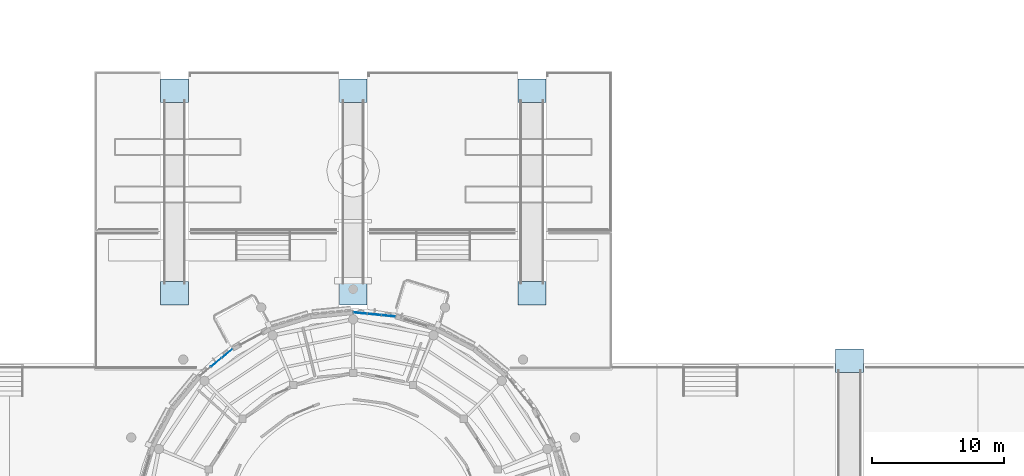
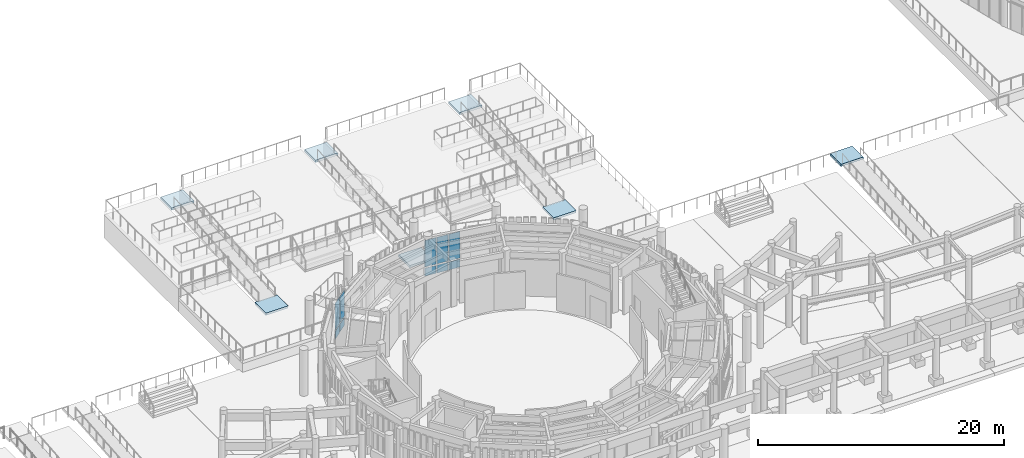
# One storey, part 37 of 94: 10 plates, 7 slabs, 2 elements without a shape of their own.
"""IFC4 building model written with IfcOpenShell, lengths in metres."""

import ifcopenshell
import ifcopenshell.guid

model = None  # the IFC model being written
_history = None  # IfcOwnerHistory: only IFC2X3 demands one
_inside = {}  # id of a spatial element -> (the spatial element, [elements in it])
_under = {}  # id of a project, library or spatial element -> (it, [spatial elements below it])
_declared = {}  # id of a project -> (the project, [libraries it declares])
_typed = {}  # id of a type object -> (the type object, [elements of that type])
_made_of = {}  # id of a material, layer set ... -> (it, [elements and type objects made of it])


def new_model(schema):
    """Start an empty IFC model of exactly this schema.

    Asked for "IFC4X3", IfcOpenShell would pick the latest addendum, in which some entities
    have other attributes; the version numbers below select the first issue.
    IFC2X3 requires an IfcOwnerHistory on every rooted entity: one is made here for all.
    """
    global model, _history
    if schema == "IFC4X3":
        model = ifcopenshell.file(schema_version=(4, 3, 0, 0))
    else:
        model = ifcopenshell.file(schema=schema)
    _inside.clear()
    _under.clear()
    _declared.clear()
    _typed.clear()
    _made_of.clear()
    _history = None
    if model.schema == "IFC2X3":
        org = make("IfcOrganization", Name="unknown")
        user = make(
            "IfcPersonAndOrganization",
            ThePerson=make("IfcPerson", FamilyName="unknown"),
            TheOrganization=org,
        )
        app = make(
            "IfcApplication",
            ApplicationDeveloper=org,
            Version="unknown",
            ApplicationFullName="unknown",
            ApplicationIdentifier="unknown",
        )
        _history = make(
            "IfcOwnerHistory",
            OwningUser=user,
            OwningApplication=app,
            ChangeAction="ADDED",
            CreationDate=0,
        )
    return model


def make(cls, **values):
    """One entity of the class cls with the attributes given. An attribute that is None is left unset."""
    return model.create_entity(
        cls, **{name: value for name, value in values.items() if value is not None}
    )


def rooted(cls, **values):
    """An entity with a GlobalId (a new one), such as an element, a storey or a relation."""
    return make(cls, GlobalId=ifcopenshell.guid.new(), OwnerHistory=_history, **values)


def si_unit(unit_type, name, prefix=None):
    """IfcSIUnit, for example si_unit("LENGTHUNIT", "METRE", prefix="MILLI")."""
    return make("IfcSIUnit", UnitType=unit_type, Prefix=prefix, Name=name)


def assignment(units):
    """IfcUnitAssignment: the units of a project."""
    return None if units is None else make("IfcUnitAssignment", Units=units)


def point(xyz):
    """IfcCartesianPoint."""
    return None if xyz is None else make("IfcCartesianPoint", Coordinates=xyz)


def direction(xyz):
    """IfcDirection."""
    return None if xyz is None else make("IfcDirection", DirectionRatios=xyz)


def frame(location, z_axis=None, x_axis=None):
    """IfcAxis2Placement3D, a coordinate frame: its origin and axes. An axis left out is left unset."""
    return make(
        "IfcAxis2Placement3D",
        Location=point(location),
        Axis=direction(z_axis),
        RefDirection=direction(x_axis),
    )


def frame_2d(location, x_axis=None):
    """IfcAxis2Placement2D, a coordinate frame in the plane: its origin and x axis."""
    return make(
        "IfcAxis2Placement2D", Location=point(location), RefDirection=direction(x_axis)
    )


def origin():
    """The frame at (0, 0, 0) with its axes left unset."""
    return frame((0.0, 0.0, 0.0))


def origin_2d():
    """The frame at (0, 0) in the plane with its x axis left unset."""
    return frame_2d((0.0, 0.0))


def place(relative_to, where):
    """IfcLocalPlacement: puts the frame where relative to a parent placement (None: the world)."""
    return make(
        "IfcLocalPlacement", PlacementRelTo=relative_to, RelativePlacement=where
    )


def context(
    kind, dimensions, precision=None, world=None, true_north=None, identifier=None
):
    """IfcGeometricRepresentationContext, for example the 3D "Model" context."""
    return make(
        "IfcGeometricRepresentationContext",
        ContextIdentifier=identifier,
        ContextType=kind,
        CoordinateSpaceDimension=dimensions,
        Precision=precision,
        WorldCoordinateSystem=world,
        TrueNorth=true_north,
    )


def subcontext(parent, identifier, kind, view, scale=None):
    """IfcGeometricRepresentationSubContext, for example "Body" below "Model"."""
    return make(
        "IfcGeometricRepresentationSubContext",
        ContextIdentifier=identifier,
        ContextType=kind,
        ParentContext=parent,
        TargetScale=scale,
        TargetView=view,
    )


def project(units=None, contexts=None):
    """IfcProject with its units and contexts."""
    return rooted(
        "IfcProject",
        Name="project",
        RepresentationContexts=contexts,
        UnitsInContext=assignment(units),
    )


def spatial(cls, under=None, at=None, **own):
    """A site, building, storey or space (cls), placed at a placement, below another one or the project."""
    s = rooted(cls, ObjectPlacement=at, **own)
    if under is not None:
        _under.setdefault(under.id(), (under, []))[1].append(s)
    return s


def polyline(points):
    """IfcPolyline through the points."""
    return make("IfcPolyline", Points=[point(p) for p in points])


def profile(cls, at=None, kind="AREA", **sizes):
    """A parametric profile (cls). Its sizes go by their IFC names, for example OverallWidth=200.0."""
    return make(cls, ProfileType=kind, Position=at, **sizes)


def rectangle(**sizes):
    """IfcRectangleProfileDef."""
    return profile("IfcRectangleProfileDef", **sizes)


def outline(outer, holes=None, kind="AREA"):
    """IfcArbitraryClosedProfileDef: a profile drawn as a closed curve; with holes, ...WithVoids."""
    if holes is None:
        return make("IfcArbitraryClosedProfileDef", ProfileType=kind, OuterCurve=outer)
    return make(
        "IfcArbitraryProfileDefWithVoids",
        ProfileType=kind,
        OuterCurve=outer,
        InnerCurves=holes,
    )


def extrude(swept, where, along, depth):
    """IfcExtrudedAreaSolid: the profile swept, set in the frame where, extruded along a direction by depth."""
    return make(
        "IfcExtrudedAreaSolid",
        SweptArea=swept,
        Position=where,
        ExtrudedDirection=direction(along),
        Depth=depth,
    )


def shape(context_of_items, identifier, shape_type, items):
    """IfcShapeRepresentation: the items that make up one representation, for example the "Body"."""
    return make(
        "IfcShapeRepresentation",
        ContextOfItems=context_of_items,
        RepresentationIdentifier=identifier,
        RepresentationType=shape_type,
        Items=items,
    )


def material(Name=None, Category=None):
    """IfcMaterial."""
    return make("IfcMaterial", Name=Name, Category=Category)


def layer(
    of_material, thickness, ventilated=None, Name=None, Category=None, Priority=None
):
    """IfcMaterialLayer: one layer of a wall or slab, of a material (None: an air gap)."""
    return make(
        "IfcMaterialLayer",
        Material=of_material,
        LayerThickness=thickness,
        IsVentilated=ventilated,
        Name=Name,
        Category=Category,
        Priority=Priority,
    )


def layer_set(layers, Name=None):
    """IfcMaterialLayerSet."""
    return make("IfcMaterialLayerSet", MaterialLayers=layers, LayerSetName=Name)


def made_of(thing, what):
    """Note that an element or type object is made of a material, layer set ...; save() writes the relation."""
    if what is not None:
        _made_of.setdefault(what.id(), (what, []))[1].append(thing)
    return thing


def type_object(cls, material=None, **own):
    """A type object (cls), such as IfcWallType, which elements share."""
    return made_of(rooted(cls, **own), material)


def element(
    cls,
    number,
    at=None,
    inside=None,
    cuts=None,
    type_object=None,
    material=None,
    context=None,
    identifier="Body",
    shape_type=None,
    held_by="IfcProductDefinitionShape",
    body=None,
    shapes=None,
    **own,
):
    """One element of the class cls, such as IfcWall. Its Tag is "e" and its number.

    at: its placement. inside: the storey or other place that contains it. cuts: it is an
    opening in that element (IfcRelVoidsElement). A single representation is given by context,
    identifier, shape_type and body (its items); several are given by shapes. held_by: the class
    of the entity that holds the representations. save() writes the other relations.
    """
    e = rooted(cls, Tag="e%d" % number, ObjectPlacement=at, **own)
    if body is not None:
        shapes = [shape(context, identifier, shape_type, body)]
    if shapes is not None:
        e.Representation = make(held_by, Representations=shapes)
    if inside is not None:
        _inside.setdefault(inside.id(), (inside, []))[1].append(e)
    if cuts is not None:
        rooted(
            "IfcRelVoidsElement", RelatingBuildingElement=cuts, RelatedOpeningElement=e
        )
    if type_object is not None:
        _typed.setdefault(type_object.id(), (type_object, []))[1].append(e)
    return made_of(e, material)


def aggregate(whole, parts):
    """IfcRelAggregates: a whole, such as a stair, and the parts it consists of."""
    return rooted("IfcRelAggregates", RelatingObject=whole, RelatedObjects=parts)


def save(model, path):
    """Write the relations noted so far, then the file.

    IfcRelAggregates (storeys below a building ...), IfcRelContainedInSpatialStructure (elements
    in a storey), IfcRelDefinesByType, IfcRelAssociatesMaterial and IfcRelDeclares: one each for
    every whole, place, type object, material and project.
    """
    for whole, parts in _under.values():
        aggregate(whole, parts)
    for where, things in _inside.values():
        rooted(
            "IfcRelContainedInSpatialStructure",
            RelatedElements=things,
            RelatingStructure=where,
        )
    for kind, things in _typed.values():
        rooted("IfcRelDefinesByType", RelatedObjects=things, RelatingType=kind)
    for what, things in _made_of.values():
        rooted("IfcRelAssociatesMaterial", RelatedObjects=things, RelatingMaterial=what)
    for by, libraries in _declared.values():
        rooted("IfcRelDeclares", RelatingContext=by, RelatedDefinitions=libraries)
    model.write(path)


model = new_model("IFC4")

# Units and contexts
model_context = context("Model", 3, precision=1e-05, world=origin(), true_north=direction((0.0, 1.0)))
body_context = subcontext(model_context, "Body", "Model", "MODEL_VIEW")
ifc_project = project(units=[si_unit("LENGTHUNIT", "METRE"), si_unit("AREAUNIT", "SQUARE_METRE"), si_unit("VOLUMEUNIT", "CUBIC_METRE"), si_unit("PLANEANGLEUNIT", "RADIAN"), si_unit("MASSUNIT", "GRAM", prefix="KILO")], contexts=[model_context])

# Site, building, storey
site_placement = place(None, origin())
site = spatial("IfcSite", under=ifc_project, at=site_placement, CompositionType="ELEMENT")
building_placement = place(site_placement, origin())
building = spatial("IfcBuilding", under=site, at=building_placement, Name="Aldenvaro Health Centre", CompositionType="ELEMENT")
storey_placement = place(building_placement, origin())
storey = spatial("IfcBuildingStorey", under=building, at=storey_placement, Name="L00", CompositionType="ELEMENT", Elevation=0.0)

# Curtain wall, plates
ifc_material_1 = material(Name="Anodised Aluminium 6063-T6", Category="aluminium")
ifc_layer_1 = layer(ifc_material_1, 0.179931640625, Name="Anodised Aluminium 6063-T6", Category="aluminium")
ifc_layer_set_1 = layer_set([ifc_layer_1], Name="Anodised Aluminium 6063-T6")
curtain_wall_type = type_object("IfcCurtainWallType", Name="CW-ROT-01", PredefinedType="NOTDEFINED", material=ifc_layer_set_1)
curtain_wall_1_placement = place(storey_placement, origin())
curtain_wall_1 = element("IfcCurtainWall", 1, at=curtain_wall_1_placement, inside=storey, type_object=curtain_wall_type, Name="D1 L00 curtain wall bay 21", PredefinedType="NOTDEFINED")
ifc_material_2 = material(Name="Low-E Double Glazing IGU", Category="glass")
ifc_layer_2 = layer(ifc_material_2, 0.028076171875, Name="Low-E Double Glazing IGU", Category="glass")
ifc_layer_set_2 = layer_set([ifc_layer_2], Name="Low-E Double Glazing IGU")
plate_type_1 = type_object("IfcPlateType", Name="CWP-IGU-28", PredefinedType="CURTAIN_PANEL", material=ifc_layer_set_2)
plate_1_placement = place(storey_placement, frame((76.64599609375, 32.616943359375, 0.96044921875), z_axis=(0.0, 0.0, 1.0), x_axis=(0.773194586776, 0.634168850528, 0.0)))
plate_1 = element("IfcPlate", 2, at=plate_1_placement, type_object=plate_type_1, Name="D1 L00 curtain wall bay 21 vision glazing 2", PredefinedType="CURTAIN_PANEL", context=body_context, shape_type="SweptSolid", body=[
    extrude(rectangle(XDim=1.001953125, YDim=0.028076171875, at=origin_2d()), origin(), (0.0, 0.0, 1.0), 2.638916015625),
])
plate_2_placement = place(storey_placement, frame((77.47509765625, 33.2958984375, 0.96044921875), z_axis=(0.0, 0.0, 1.0), x_axis=(0.773194586776, 0.634168850528, 0.0)))
plate_2 = element("IfcPlate", 3, at=plate_2_placement, type_object=plate_type_1, Name="D1 L00 curtain wall bay 21 vision glazing 3", PredefinedType="CURTAIN_PANEL", context=body_context, shape_type="SweptSolid", body=[
    extrude(rectangle(XDim=1.001953125, YDim=0.028076171875, at=origin_2d()), origin(), (0.0, 0.0, 1.0), 2.638916015625),
])

curtain_wall_2_placement = place(storey_placement, origin())
curtain_wall_2 = element("IfcCurtainWall", 4, at=curtain_wall_2_placement, inside=storey, type_object=curtain_wall_type, Name="D1 L00 curtain wall bay 25", PredefinedType="NOTDEFINED")
plate_3_placement = place(storey_placement, frame((87.532958984375, 36.346923828125, 0.96044921875), z_axis=(0.0, 0.0, 1.0), x_axis=(0.995186971968, -0.097994340783, 0.0)))
plate_3 = element("IfcPlate", 5, at=plate_3_placement, type_object=plate_type_1, Name="D1 L00 curtain wall bay 25 vision glazing 1", PredefinedType="CURTAIN_PANEL", context=body_context, shape_type="SweptSolid", body=[
    extrude(rectangle(XDim=1.0009765625, YDim=0.028076171875, at=origin_2d()), origin(), (0.0, 0.0, 1.0), 2.638916015625),
])
plate_4_placement = place(storey_placement, frame((88.60009765625, 36.241943359375, 0.96044921875), z_axis=(0.0, 0.0, 1.0), x_axis=(0.995186971968, -0.097994340783, 0.0)))
plate_4 = element("IfcPlate", 6, at=plate_4_placement, type_object=plate_type_1, Name="D1 L00 curtain wall bay 25 vision glazing 2", PredefinedType="CURTAIN_PANEL", context=body_context, shape_type="SweptSolid", body=[
    extrude(rectangle(XDim=1.0009765625, YDim=0.028076171875, at=origin_2d()), origin(), (0.0, 0.0, 1.0), 2.638916015625),
])
plate_5_placement = place(storey_placement, frame((89.666015625, 36.137939453125, 0.96044921875), z_axis=(0.0, 0.0, 1.0), x_axis=(0.995186971968, -0.097994340783, 0.0)))
plate_5 = element("IfcPlate", 7, at=plate_5_placement, type_object=plate_type_1, Name="D1 L00 curtain wall bay 25 vision glazing 3", PredefinedType="CURTAIN_PANEL", context=body_context, shape_type="SweptSolid", body=[
    extrude(rectangle(XDim=1.0009765625, YDim=0.028076171875, at=origin_2d()), origin(), (0.0, 0.0, 1.0), 2.638916015625),
])

# Plate
ifc_material_3 = material(Name="Insulated Aluminium Spandrel", Category="aluminium")
ifc_layer_3 = layer(ifc_material_3, 0.035888671875, Name="Insulated Aluminium Spandrel", Category="aluminium")
ifc_layer_set_3 = layer_set([ifc_layer_3], Name="Insulated Aluminium Spandrel")
plate_type_2 = type_object("IfcPlateType", Name="CWP-SPN-36", PredefinedType="CURTAIN_PANEL", material=ifc_layer_set_3)
plate_6_placement = place(storey_placement, frame((76.64599609375, 32.616943359375, 0.06005859375), z_axis=(0.0, 0.0, 1.0), x_axis=(0.773194586776, 0.634168850528, 0.0)))
plate_6 = element("IfcPlate", 8, at=plate_6_placement, type_object=plate_type_2, Name="D1 L00 curtain wall bay 21 spandrel panel 2", PredefinedType="CURTAIN_PANEL", context=body_context, shape_type="SweptSolid", body=[
    extrude(rectangle(XDim=1.001953125, YDim=0.035888671875, at=origin_2d()), origin(), (0.0, 0.0, 1.0), 0.780029296875),
])

plate_7_placement = place(storey_placement, frame((77.47509765625, 33.2958984375, 0.06005859375), z_axis=(0.0, 0.0, 1.0), x_axis=(0.773194586776, 0.634168850528, 0.0)))
plate_7 = element("IfcPlate", 9, at=plate_7_placement, type_object=plate_type_2, Name="D1 L00 curtain wall bay 21 spandrel panel 3", PredefinedType="CURTAIN_PANEL", context=body_context, shape_type="SweptSolid", body=[
    extrude(rectangle(XDim=1.001953125, YDim=0.035888671875, at=origin_2d()), origin(), (0.0, 0.0, 1.0), 0.780029296875),
])

aggregate(curtain_wall_1, [plate_6, plate_1, plate_7, plate_2])

plate_8_placement = place(storey_placement, frame((87.532958984375, 36.346923828125, 0.06005859375), z_axis=(0.0, 0.0, 1.0), x_axis=(0.995186971968, -0.097994340783, 0.0)))
plate_8 = element("IfcPlate", 10, at=plate_8_placement, type_object=plate_type_2, Name="D1 L00 curtain wall bay 25 spandrel panel 1", PredefinedType="CURTAIN_PANEL", context=body_context, shape_type="SweptSolid", body=[
    extrude(rectangle(XDim=1.0009765625, YDim=0.035888671875, at=origin_2d()), origin(), (0.0, 0.0, 1.0), 0.780029296875),
])

plate_9_placement = place(storey_placement, frame((88.60009765625, 36.241943359375, 0.06005859375), z_axis=(0.0, 0.0, 1.0), x_axis=(0.995186971968, -0.097994340783, 0.0)))
plate_9 = element("IfcPlate", 11, at=plate_9_placement, type_object=plate_type_2, Name="D1 L00 curtain wall bay 25 spandrel panel 2", PredefinedType="CURTAIN_PANEL", context=body_context, shape_type="SweptSolid", body=[
    extrude(rectangle(XDim=1.0009765625, YDim=0.035888671875, at=origin_2d()), origin(), (0.0, 0.0, 1.0), 0.780029296875),
])

plate_10_placement = place(storey_placement, frame((89.666015625, 36.137939453125, 0.06005859375), z_axis=(0.0, 0.0, 1.0), x_axis=(0.995186971968, -0.097994340783, 0.0)))
plate_10 = element("IfcPlate", 12, at=plate_10_placement, type_object=plate_type_2, Name="D1 L00 curtain wall bay 25 spandrel panel 3", PredefinedType="CURTAIN_PANEL", context=body_context, shape_type="SweptSolid", body=[
    extrude(rectangle(XDim=1.0009765625, YDim=0.035888671875, at=origin_2d()), origin(), (0.0, 0.0, 1.0), 0.780029296875),
])

aggregate(curtain_wall_2, [plate_8, plate_3, plate_9, plate_4, plate_10, plate_5])

# Slabs
ifc_material_4 = material(Name="Concrete f'c 40 MPa", Category="concrete")
ifc_layer_4 = layer(ifc_material_4, 0.219970703125, Name="Concrete f'c 40 MPa", Category="concrete")
ifc_layer_set_4 = layer_set([ifc_layer_4], Name="Concrete f'c 40 MPa")
slab_type = type_object("IfcSlabType", Name="SLB-LND-190", PredefinedType="LANDING", material=ifc_layer_set_4)
slab_1_placement = place(storey_placement, frame((0.0, 0.0, 0.929931640625)))
element("IfcSlab", 13, at=slab_1_placement, inside=storey, type_object=slab_type, Name="Stepped Foothill Ramp 3 Arrival Landing", PredefinedType="LANDING", context=body_context, shape_type="SweptSolid", body=[
    extrude(outline(polyline([(123.449951171875, 31.85009765625), (125.550048828125, 31.85009765625), (125.550048828125, 33.64990234375), (123.449951171875, 33.64990234375), (123.449951171875, 31.85009765625)])), origin(), (0.0, 0.0, 1.0), 0.219970703125),
])
slab_2_placement = place(storey_placement, frame((0.0, 0.0, 2.080078125)))
element("IfcSlab", 14, at=slab_2_placement, inside=storey, type_object=slab_type, Name="Stepped Foothill Ramp 4 Arrival Landing", PredefinedType="LANDING", context=body_context, shape_type="SweptSolid", body=[
    extrude(outline(polyline([(72.449951171875, 52.25), (74.550048828125, 52.25), (74.550048828125, 54.050048828125), (72.449951171875, 54.050048828125), (72.449951171875, 52.25)])), origin(), (0.0, 0.0, 1.0), 0.219970703125),
])
slab_3_placement = place(storey_placement, frame((0.0, 0.0, 0.929931640625)))
element("IfcSlab", 15, at=slab_3_placement, inside=storey, type_object=slab_type, Name="Stepped Foothill Ramp 4 Departure Landing", PredefinedType="LANDING", context=body_context, shape_type="SweptSolid", body=[
    extrude(outline(polyline([(72.449951171875, 36.949951171875), (74.550048828125, 36.949951171875), (74.550048828125, 38.75), (72.449951171875, 38.75), (72.449951171875, 36.949951171875)])), origin(), (0.0, 0.0, 1.0), 0.219970703125),
])
slab_4_placement = place(storey_placement, frame((0.0, 0.0, 2.080078125)))
element("IfcSlab", 16, at=slab_4_placement, inside=storey, type_object=slab_type, Name="Stepped Foothill Ramp 5 Arrival Landing", PredefinedType="LANDING", context=body_context, shape_type="SweptSolid", body=[
    extrude(outline(polyline([(99.449951171875, 52.25), (101.550048828125, 52.25), (101.550048828125, 54.050048828125), (99.449951171875, 54.050048828125), (99.449951171875, 52.25)])), origin(), (0.0, 0.0, 1.0), 0.219970703125),
])
slab_5_placement = place(storey_placement, frame((0.0, 0.0, 0.929931640625)))
element("IfcSlab", 17, at=slab_5_placement, inside=storey, type_object=slab_type, Name="Stepped Foothill Ramp 5 Departure Landing", PredefinedType="LANDING", context=body_context, shape_type="SweptSolid", body=[
    extrude(outline(polyline([(99.449951171875, 36.949951171875), (101.550048828125, 36.949951171875), (101.550048828125, 38.75), (99.449951171875, 38.75), (99.449951171875, 36.949951171875)])), origin(), (0.0, 0.0, 1.0), 0.219970703125),
])
slab_6_placement = place(storey_placement, frame((0.0, 0.0, 2.080078125)))
element("IfcSlab", 18, at=slab_6_placement, inside=storey, type_object=slab_type, Name="Stepped Foothill Ramp 6 Arrival Landing", PredefinedType="LANDING", context=body_context, shape_type="SweptSolid", body=[
    extrude(outline(polyline([(85.949951171875, 52.25), (88.050048828125, 52.25), (88.050048828125, 54.050048828125), (85.949951171875, 54.050048828125), (85.949951171875, 52.25)])), origin(), (0.0, 0.0, 1.0), 0.219970703125),
])
slab_7_placement = place(storey_placement, frame((0.0, 0.0, 0.929931640625)))
element("IfcSlab", 19, at=slab_7_placement, inside=storey, type_object=slab_type, Name="Stepped Foothill Ramp 6 Departure Landing", PredefinedType="LANDING", context=body_context, shape_type="SweptSolid", body=[
    extrude(outline(polyline([(85.949951171875, 36.949951171875), (88.050048828125, 36.949951171875), (88.050048828125, 38.75), (85.949951171875, 38.75), (85.949951171875, 36.949951171875)])), origin(), (0.0, 0.0, 1.0), 0.219970703125),
])

save(model, "model.ifc")
